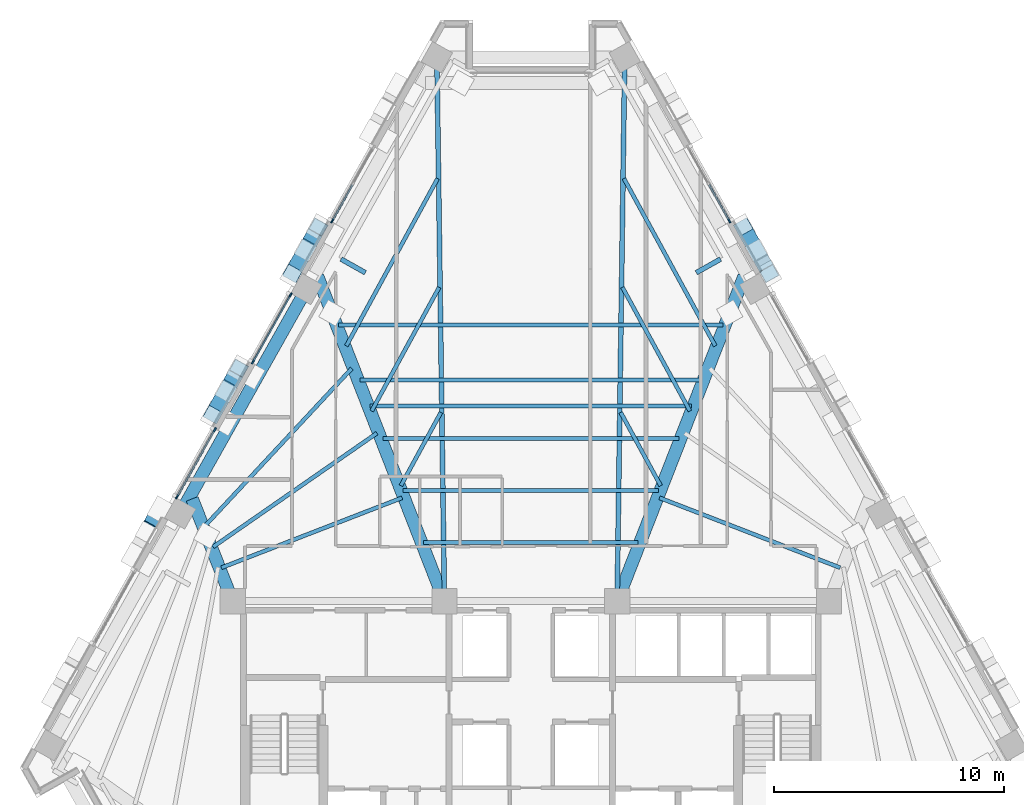
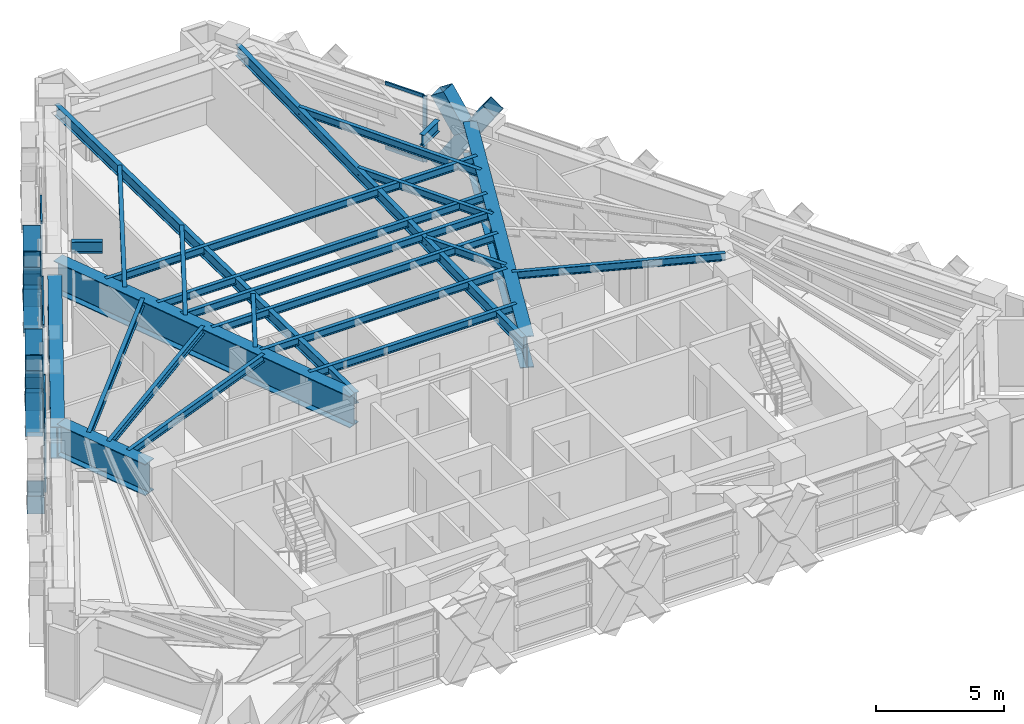
# One storey, part 3 of 13: 24 beams, 23 members, 4 elements without a shape of their own.
"""IFC4 building model written with IfcOpenShell, lengths in metres."""

import ifcopenshell
import ifcopenshell.guid

model = None  # the IFC model being written
_history = None  # IfcOwnerHistory: only IFC2X3 demands one
_inside = {}  # id of a spatial element -> (the spatial element, [elements in it])
_under = {}  # id of a project, library or spatial element -> (it, [spatial elements below it])
_declared = {}  # id of a project -> (the project, [libraries it declares])
_typed = {}  # id of a type object -> (the type object, [elements of that type])
_made_of = {}  # id of a material, layer set ... -> (it, [elements and type objects made of it])


def new_model(schema):
    """Start an empty IFC model of exactly this schema.

    Asked for "IFC4X3", IfcOpenShell would pick the latest addendum, in which some entities
    have other attributes; the version numbers below select the first issue.
    IFC2X3 requires an IfcOwnerHistory on every rooted entity: one is made here for all.
    """
    global model, _history
    if schema == "IFC4X3":
        model = ifcopenshell.file(schema_version=(4, 3, 0, 0))
    else:
        model = ifcopenshell.file(schema=schema)
    _inside.clear()
    _under.clear()
    _declared.clear()
    _typed.clear()
    _made_of.clear()
    _history = None
    if model.schema == "IFC2X3":
        org = make("IfcOrganization", Name="unknown")
        user = make(
            "IfcPersonAndOrganization",
            ThePerson=make("IfcPerson", FamilyName="unknown"),
            TheOrganization=org,
        )
        app = make(
            "IfcApplication",
            ApplicationDeveloper=org,
            Version="unknown",
            ApplicationFullName="unknown",
            ApplicationIdentifier="unknown",
        )
        _history = make(
            "IfcOwnerHistory",
            OwningUser=user,
            OwningApplication=app,
            ChangeAction="ADDED",
            CreationDate=0,
        )
    return model


def make(cls, **values):
    """One entity of the class cls with the attributes given. An attribute that is None is left unset."""
    return model.create_entity(
        cls, **{name: value for name, value in values.items() if value is not None}
    )


def rooted(cls, **values):
    """An entity with a GlobalId (a new one), such as an element, a storey or a relation."""
    return make(cls, GlobalId=ifcopenshell.guid.new(), OwnerHistory=_history, **values)


def si_unit(unit_type, name, prefix=None):
    """IfcSIUnit, for example si_unit("LENGTHUNIT", "METRE", prefix="MILLI")."""
    return make("IfcSIUnit", UnitType=unit_type, Prefix=prefix, Name=name)


def assignment(units):
    """IfcUnitAssignment: the units of a project."""
    return None if units is None else make("IfcUnitAssignment", Units=units)


def point(xyz):
    """IfcCartesianPoint."""
    return None if xyz is None else make("IfcCartesianPoint", Coordinates=xyz)


def direction(xyz):
    """IfcDirection."""
    return None if xyz is None else make("IfcDirection", DirectionRatios=xyz)


def frame(location, z_axis=None, x_axis=None):
    """IfcAxis2Placement3D, a coordinate frame: its origin and axes. An axis left out is left unset."""
    return make(
        "IfcAxis2Placement3D",
        Location=point(location),
        Axis=direction(z_axis),
        RefDirection=direction(x_axis),
    )


def frame_2d(location, x_axis=None):
    """IfcAxis2Placement2D, a coordinate frame in the plane: its origin and x axis."""
    return make(
        "IfcAxis2Placement2D", Location=point(location), RefDirection=direction(x_axis)
    )


def origin():
    """The frame at (0, 0, 0) with its axes left unset."""
    return frame((0.0, 0.0, 0.0))


def origin_2d():
    """The frame at (0, 0) in the plane with its x axis left unset."""
    return frame_2d((0.0, 0.0))


def place(relative_to, where):
    """IfcLocalPlacement: puts the frame where relative to a parent placement (None: the world)."""
    return make(
        "IfcLocalPlacement", PlacementRelTo=relative_to, RelativePlacement=where
    )


def context(
    kind, dimensions, precision=None, world=None, true_north=None, identifier=None
):
    """IfcGeometricRepresentationContext, for example the 3D "Model" context."""
    return make(
        "IfcGeometricRepresentationContext",
        ContextIdentifier=identifier,
        ContextType=kind,
        CoordinateSpaceDimension=dimensions,
        Precision=precision,
        WorldCoordinateSystem=world,
        TrueNorth=true_north,
    )


def subcontext(parent, identifier, kind, view, scale=None):
    """IfcGeometricRepresentationSubContext, for example "Body" below "Model"."""
    return make(
        "IfcGeometricRepresentationSubContext",
        ContextIdentifier=identifier,
        ContextType=kind,
        ParentContext=parent,
        TargetScale=scale,
        TargetView=view,
    )


def project(units=None, contexts=None):
    """IfcProject with its units and contexts."""
    return rooted(
        "IfcProject",
        Name="project",
        RepresentationContexts=contexts,
        UnitsInContext=assignment(units),
    )


def spatial(cls, under=None, at=None, **own):
    """A site, building, storey or space (cls), placed at a placement, below another one or the project."""
    s = rooted(cls, ObjectPlacement=at, **own)
    if under is not None:
        _under.setdefault(under.id(), (under, []))[1].append(s)
    return s


def profile(cls, at=None, kind="AREA", **sizes):
    """A parametric profile (cls). Its sizes go by their IFC names, for example OverallWidth=200.0."""
    return make(cls, ProfileType=kind, Position=at, **sizes)


def rectangle(**sizes):
    """IfcRectangleProfileDef."""
    return profile("IfcRectangleProfileDef", **sizes)


def hollow_rectangle(**sizes):
    """IfcRectangleHollowProfileDef."""
    return profile("IfcRectangleHollowProfileDef", **sizes)


def i_section(**sizes):
    """IfcIShapeProfileDef."""
    return profile("IfcIShapeProfileDef", **sizes)


def extrude(swept, where, along, depth):
    """IfcExtrudedAreaSolid: the profile swept, set in the frame where, extruded along a direction by depth."""
    return make(
        "IfcExtrudedAreaSolid",
        SweptArea=swept,
        Position=where,
        ExtrudedDirection=direction(along),
        Depth=depth,
    )


def shape(context_of_items, identifier, shape_type, items):
    """IfcShapeRepresentation: the items that make up one representation, for example the "Body"."""
    return make(
        "IfcShapeRepresentation",
        ContextOfItems=context_of_items,
        RepresentationIdentifier=identifier,
        RepresentationType=shape_type,
        Items=items,
    )


def material(Name=None, Category=None):
    """IfcMaterial."""
    return make("IfcMaterial", Name=Name, Category=Category)


def material_profile(
    of_material, cross_section, Name=None, Category=None, Priority=None
):
    """IfcMaterialProfile: a cross section and its material."""
    return make(
        "IfcMaterialProfile",
        Name=Name,
        Material=of_material,
        Profile=cross_section,
        Priority=Priority,
        Category=Category,
    )


def profile_set(profiles, Name=None, composite=None):
    """IfcMaterialProfileSet."""
    return make(
        "IfcMaterialProfileSet",
        Name=Name,
        MaterialProfiles=profiles,
        CompositeProfile=composite,
    )


def made_of(thing, what):
    """Note that an element or type object is made of a material, layer set ...; save() writes the relation."""
    if what is not None:
        _made_of.setdefault(what.id(), (what, []))[1].append(thing)
    return thing


def type_object(cls, material=None, **own):
    """A type object (cls), such as IfcWallType, which elements share."""
    return made_of(rooted(cls, **own), material)


def element(
    cls,
    number,
    at=None,
    inside=None,
    cuts=None,
    type_object=None,
    material=None,
    context=None,
    identifier="Body",
    shape_type=None,
    held_by="IfcProductDefinitionShape",
    body=None,
    shapes=None,
    **own,
):
    """One element of the class cls, such as IfcWall. Its Tag is "e" and its number.

    at: its placement. inside: the storey or other place that contains it. cuts: it is an
    opening in that element (IfcRelVoidsElement). A single representation is given by context,
    identifier, shape_type and body (its items); several are given by shapes. held_by: the class
    of the entity that holds the representations. save() writes the other relations.
    """
    e = rooted(cls, Tag="e%d" % number, ObjectPlacement=at, **own)
    if body is not None:
        shapes = [shape(context, identifier, shape_type, body)]
    if shapes is not None:
        e.Representation = make(held_by, Representations=shapes)
    if inside is not None:
        _inside.setdefault(inside.id(), (inside, []))[1].append(e)
    if cuts is not None:
        rooted(
            "IfcRelVoidsElement", RelatingBuildingElement=cuts, RelatedOpeningElement=e
        )
    if type_object is not None:
        _typed.setdefault(type_object.id(), (type_object, []))[1].append(e)
    return made_of(e, material)


def aggregate(whole, parts):
    """IfcRelAggregates: a whole, such as a stair, and the parts it consists of."""
    return rooted("IfcRelAggregates", RelatingObject=whole, RelatedObjects=parts)


def save(model, path):
    """Write the relations noted so far, then the file.

    IfcRelAggregates (storeys below a building ...), IfcRelContainedInSpatialStructure (elements
    in a storey), IfcRelDefinesByType, IfcRelAssociatesMaterial and IfcRelDeclares: one each for
    every whole, place, type object, material and project.
    """
    for whole, parts in _under.values():
        aggregate(whole, parts)
    for where, things in _inside.values():
        rooted(
            "IfcRelContainedInSpatialStructure",
            RelatedElements=things,
            RelatingStructure=where,
        )
    for kind, things in _typed.values():
        rooted("IfcRelDefinesByType", RelatedObjects=things, RelatingType=kind)
    for what, things in _made_of.values():
        rooted("IfcRelAssociatesMaterial", RelatedObjects=things, RelatingMaterial=what)
    for by, libraries in _declared.values():
        rooted("IfcRelDeclares", RelatingContext=by, RelatedDefinitions=libraries)
    model.write(path)


model = new_model("IFC4")

# Units and contexts
model_context = context("Model", 3, precision=1e-05, world=origin(), true_north=direction((0.0, 1.0)))
body_context = subcontext(model_context, "Body", "Model", "MODEL_VIEW")
ifc_project = project(units=[si_unit("LENGTHUNIT", "METRE"), si_unit("AREAUNIT", "SQUARE_METRE"), si_unit("VOLUMEUNIT", "CUBIC_METRE"), si_unit("PLANEANGLEUNIT", "RADIAN"), si_unit("MASSUNIT", "GRAM", prefix="KILO")], contexts=[model_context])

# Site, building, storey
site_placement = place(None, origin())
site = spatial("IfcSite", under=ifc_project, at=site_placement, CompositionType="ELEMENT")
building_placement = place(site_placement, origin())
building = spatial("IfcBuilding", under=site, at=building_placement, Name="Quenlor Broadcast Tower", CompositionType="ELEMENT")
storey_placement = place(building_placement, frame((0.0, 0.0, 175.5)))
storey = spatial("IfcBuildingStorey", under=building, at=storey_placement, Name="L48", CompositionType="ELEMENT", Elevation=175.5)

# Curtain wall, member
ifc_material_1 = material(Name="Architectural Terracotta and Low-E Glazing", Category="masonry")
curtain_wall_type = type_object("IfcCurtainWallType", Name="Unitised Terracotta Curtain Wall System Z3", PredefinedType="NOTDEFINED", material=ifc_material_1)
curtain_wall_1_placement = place(storey_placement, origin())
curtain_wall_1 = element("IfcCurtainWall", 1, at=curtain_wall_1_placement, inside=storey, type_object=curtain_wall_type, Name="L48 Curtain Wall CW3 (L48-NEA-G1)", PredefinedType="NOTDEFINED")
ifc_material_2 = material(Name="Aluminium 6063-T6", Category="aluminium")
ifc_material_profile_1 = material_profile(ifc_material_2, rectangle(XDim=0.070068359375, YDim=0.18994140625, at=origin_2d()))
ifc_profile_set_1 = profile_set([ifc_material_profile_1], Name="Aluminium 6063-T6 MULL70x190")
member_type_1 = type_object("IfcMemberType", Name="CW3 Aluminium Mullion MULL_CW3", PredefinedType="MULLION", material=ifc_profile_set_1)
member_1_placement = place(storey_placement, frame((8.62353515625, 11.71240234375, 0.0), z_axis=(0.0, 0.0, 1.0), x_axis=(0.871570530637, 0.490270139949, 0.0)))
member_1 = element("IfcMember", 2, at=member_1_placement, type_object=member_type_1, Name="CW3 mullion 3", PredefinedType="MULLION", context=body_context, shape_type="SweptSolid", body=[
    extrude(rectangle(XDim=0.070068359375, YDim=0.18994140625, at=origin_2d()), origin(), (0.0, 0.0, 1.0), 3.139892578125),
])

curtain_wall_2_placement = place(storey_placement, origin())
curtain_wall_2 = element("IfcCurtainWall", 3, at=curtain_wall_2_placement, inside=storey, type_object=curtain_wall_type, Name="L48 Curtain Wall CW3 (L48-NWC-G1)", PredefinedType="NOTDEFINED")
member_2_placement = place(storey_placement, frame((-8.62353515625, 11.71240234375, 0.0), z_axis=(0.0, 0.0, 1.0), x_axis=(-0.871570530637, 0.490270139949, 0.0)))
member_2 = element("IfcMember", 4, at=member_2_placement, type_object=member_type_1, Name="CW3 mullion 1", PredefinedType="MULLION", context=body_context, shape_type="SweptSolid", body=[
    extrude(rectangle(XDim=0.070068359375, YDim=0.18994140625, at=origin_2d()), origin(), (0.0, 0.0, 1.0), 3.139892578125),
])

# Curtain wall, members
curtain_wall_3_placement = place(storey_placement, origin())
curtain_wall_3 = element("IfcCurtainWall", 5, at=curtain_wall_3_placement, inside=storey, type_object=curtain_wall_type, Name="L48 Curtain Wall CW3 (L48-NW-G1)", PredefinedType="NOTDEFINED")
member_3_placement = place(storey_placement, frame((-15.365966796875, -0.274169921875, 0.0), z_axis=(0.0, 0.0, 1.0), x_axis=(-0.871571633105, 0.490268180048, 0.0)))
member_3 = element("IfcMember", 6, at=member_3_placement, type_object=member_type_1, Name="CW3 mullion 1", PredefinedType="MULLION", context=body_context, shape_type="SweptSolid", body=[
    extrude(rectangle(XDim=0.070068359375, YDim=0.18994140625, at=origin_2d()), origin(), (0.0, 0.0, 1.0), 3.139892578125),
])
member_4_placement = place(storey_placement, frame((-13.723388671875, 2.64599609375, 0.0), z_axis=(0.0, 0.0, 1.0), x_axis=(-0.871571633105, 0.490268180048, 0.0)))
member_4 = element("IfcMember", 7, at=member_4_placement, type_object=member_type_1, Name="CW3 mullion 2", PredefinedType="MULLION", context=body_context, shape_type="SweptSolid", body=[
    extrude(rectangle(XDim=0.070068359375, YDim=0.18994140625, at=origin_2d()), origin(), (0.0, 0.0, 1.0), 3.139892578125),
])

curtain_wall_4_placement = place(storey_placement, origin())
curtain_wall_4 = element("IfcCurtainWall", 8, at=curtain_wall_4_placement, inside=storey, type_object=curtain_wall_type, Name="L48 Curtain Wall CW3 (L48-NW-G2)", PredefinedType="NOTDEFINED")
member_5_placement = place(storey_placement, frame((-12.071533203125, 5.582275390625, 0.0), z_axis=(0.0, 0.0, 1.0), x_axis=(-0.871578660222, 0.490255687418, 0.0)))
member_5 = element("IfcMember", 9, at=member_5_placement, type_object=member_type_1, Name="CW3 mullion 1", PredefinedType="MULLION", context=body_context, shape_type="SweptSolid", body=[
    extrude(rectangle(XDim=0.070068359375, YDim=0.18994140625, at=origin_2d()), origin(), (0.0, 0.0, 1.0), 3.139892578125),
])
member_6_placement = place(storey_placement, frame((-10.428955078125, 8.50244140625, 0.0), z_axis=(0.0, 0.0, 1.0), x_axis=(-0.871578660222, 0.490255687418, 0.0)))
member_6 = element("IfcMember", 10, at=member_6_placement, type_object=member_type_1, Name="CW3 mullion 2", PredefinedType="MULLION", context=body_context, shape_type="SweptSolid", body=[
    extrude(rectangle(XDim=0.070068359375, YDim=0.18994140625, at=origin_2d()), origin(), (0.0, 0.0, 1.0), 3.139892578125),
])

# Member
ifc_material_3 = material(Name="Aluminium 6063-T6", Category="aluminium")
ifc_material_profile_2 = material_profile(ifc_material_3, rectangle(XDim=0.070068359375, YDim=0.155029296875, at=origin_2d()))
ifc_profile_set_2 = profile_set([ifc_material_profile_2], Name="Aluminium 6063-T6 TRAN70x155")
member_type_2 = type_object("IfcMemberType", Name="CW3 Aluminium Transom TRAN_CW3", PredefinedType="USERDEFINED", material=ifc_profile_set_2)
member_7_placement = place(storey_placement, frame((7.742431640625, 13.278564453125, 0.034912109375), z_axis=(0.490353334151, -0.871523727553, 0.0), x_axis=(0.871523727553, 0.490353334151, 0.0)))
member_7 = element("IfcMember", 11, at=member_7_placement, type_object=member_type_2, Name="CW3 transom 2.1", ObjectType="TRANSOM", PredefinedType="USERDEFINED", context=body_context, shape_type="SweptSolid", body=[
    extrude(rectangle(XDim=0.070068359375, YDim=0.155029296875, at=origin_2d()), origin(), (0.0, 0.0, 1.0), 1.761962890625),
])

member_8_placement = place(storey_placement, frame((7.742431640625, 13.278564453125, 3.10498046875), z_axis=(0.490353334151, -0.871523727553, 0.0), x_axis=(0.871523727553, 0.490353334151, 0.0)))
member_8 = element("IfcMember", 12, at=member_8_placement, type_object=member_type_2, Name="CW3 transom 2.2", ObjectType="TRANSOM", PredefinedType="USERDEFINED", context=body_context, shape_type="SweptSolid", body=[
    extrude(rectangle(XDim=0.070068359375, YDim=0.155029296875, at=origin_2d()), origin(), (0.0, 0.0, 1.0), 1.761962890625),
])

aggregate(curtain_wall_1, [member_1, member_7, member_8])

member_9_placement = place(storey_placement, frame((-8.6064453125, 11.742919921875, 0.034912109375), z_axis=(0.490353334151, 0.871523727553, 0.0), x_axis=(-0.871523727553, 0.490353334151, 0.0)))
member_9 = element("IfcMember", 13, at=member_9_placement, type_object=member_type_2, Name="CW3 transom 1.1", ObjectType="TRANSOM", PredefinedType="USERDEFINED", context=body_context, shape_type="SweptSolid", body=[
    extrude(rectangle(XDim=0.070068359375, YDim=0.155029296875, at=origin_2d()), origin(), (0.0, 0.0, 1.0), 1.761962890625),
])

member_10_placement = place(storey_placement, frame((-8.6064453125, 11.742919921875, 3.10498046875), z_axis=(0.490353334151, 0.871523727553, 0.0), x_axis=(-0.871523727553, 0.490353334151, 0.0)))
member_10 = element("IfcMember", 14, at=member_10_placement, type_object=member_type_2, Name="CW3 transom 1.2", ObjectType="TRANSOM", PredefinedType="USERDEFINED", context=body_context, shape_type="SweptSolid", body=[
    extrude(rectangle(XDim=0.070068359375, YDim=0.155029296875, at=origin_2d()), origin(), (0.0, 0.0, 1.0), 1.761962890625),
])

aggregate(curtain_wall_2, [member_2, member_9, member_10])

member_11_placement = place(storey_placement, frame((-15.348876953125, -0.24365234375, 0.034912109375), z_axis=(0.490293039863, 0.871557648731, 0.0), x_axis=(-0.871557648731, 0.490293039863, 0.0)))
member_11 = element("IfcMember", 15, at=member_11_placement, type_object=member_type_2, Name="CW3 transom 1.1", ObjectType="TRANSOM", PredefinedType="USERDEFINED", context=body_context, shape_type="SweptSolid", body=[
    extrude(rectangle(XDim=0.070068359375, YDim=0.155029296875, at=origin_2d()), origin(), (0.0, 0.0, 1.0), 3.280517578125),
])

member_12_placement = place(storey_placement, frame((-15.348876953125, -0.24365234375, 3.10498046875), z_axis=(0.490293039863, 0.871557648731, 0.0), x_axis=(-0.871557648731, 0.490293039863, 0.0)))
member_12 = element("IfcMember", 16, at=member_12_placement, type_object=member_type_2, Name="CW3 transom 1.2", ObjectType="TRANSOM", PredefinedType="USERDEFINED", context=body_context, shape_type="SweptSolid", body=[
    extrude(rectangle(XDim=0.070068359375, YDim=0.155029296875, at=origin_2d()), origin(), (0.0, 0.0, 1.0), 3.280517578125),
])

aggregate(curtain_wall_3, [member_3, member_4, member_11, member_12])

member_13_placement = place(storey_placement, frame((-12.054443359375, 5.61279296875, 0.034912109375), z_axis=(0.490236504766, 0.871589450025, 0.0), x_axis=(-0.871589450025, 0.490236504766, 0.0)))
member_13 = element("IfcMember", 17, at=member_13_placement, type_object=member_type_2, Name="CW3 transom 1.1", ObjectType="TRANSOM", PredefinedType="USERDEFINED", context=body_context, shape_type="SweptSolid", body=[
    extrude(rectangle(XDim=0.070068359375, YDim=0.155029296875, at=origin_2d()), origin(), (0.0, 0.0, 1.0), 3.2802734375),
])

member_14_placement = place(storey_placement, frame((-12.054443359375, 5.61279296875, 3.10498046875), z_axis=(0.490236504766, 0.871589450025, 0.0), x_axis=(-0.871589450025, 0.490236504766, 0.0)))
member_14 = element("IfcMember", 18, at=member_14_placement, type_object=member_type_2, Name="CW3 transom 1.2", ObjectType="TRANSOM", PredefinedType="USERDEFINED", context=body_context, shape_type="SweptSolid", body=[
    extrude(rectangle(XDim=0.070068359375, YDim=0.155029296875, at=origin_2d()), origin(), (0.0, 0.0, 1.0), 3.2802734375),
])

aggregate(curtain_wall_4, [member_5, member_6, member_13, member_14])

# Members
ifc_material_4 = material(Name="Steel S355", Category="steel")
ifc_material_profile_3 = material_profile(ifc_material_4, hollow_rectangle(XDim=0.679931640625, YDim=0.679931640625, WallThickness=0.02490234375, at=origin_2d()))
ifc_profile_set_3 = profile_set([ifc_material_profile_3], Name="Steel S355 RHS680x680x25")
member_type_3 = type_object("IfcMemberType", Name="Perimeter Diagonal Lattice Brace Z3-Z4 Steel S355 RHS680x25", PredefinedType="BRACE", material=ifc_profile_set_3)
member_15_placement = place(storey_placement, frame((9.225830078125, 11.447265625, -0.1201171875), z_axis=(0.27060310517, -0.481001091283, 0.833913610428), x_axis=(0.871544572467, 0.490316283845, 0.0)))
element("IfcMember", 19, at=member_15_placement, inside=storey, type_object=member_type_3, Name="L48 Perimeter Diamond Lattice NE-C2XA", PredefinedType="BRACE", context=body_context, shape_type="SweptSolid", body=[
    extrude(hollow_rectangle(XDim=0.679931640625, YDim=0.679931640625, WallThickness=0.02490234375, at=origin_2d()), origin(), (0.0, 0.0, 1.0), 4.197021484375),
])
for number, where, z_axis, x_axis, name in (
    (20, (9.72607421875, 10.55810546875, 1.83837890625), (-0.270616433058, 0.481007832697, 0.833905396938), (-0.871537189362, -0.490329407194, 0.0), "L48 Perimeter Diamond Lattice NE-C2XB2"),
    (21, (-16.1220703125, -0.812744140625, -0.1201171875), (-0.270616433058, -0.481007832697, 0.833905396938), (0.871537189362, -0.490329407194, 0.0), "L48 Perimeter Diamond Lattice NW-C2XB1"),
):
    element("IfcMember", number, at=place(storey_placement, frame(where, z_axis=z_axis, x_axis=x_axis)), inside=storey, type_object=member_type_3, Name=name, PredefinedType="BRACE", context=body_context, shape_type="SweptSolid", body=[
        extrude(hollow_rectangle(XDim=0.679931640625, YDim=0.679931640625, WallThickness=0.02490234375, at=origin_2d()), origin(), (0.0, 0.0, 1.0), 1.8486328125),
    ])
member_16_placement = place(storey_placement, frame((-13.8095703125, 3.298583984375, -0.1201171875), z_axis=(0.270556764115, 0.480963948764, 0.833950068878), x_axis=(-0.871564276035, 0.49028125881, 0.0)))
element("IfcMember", 22, at=member_16_placement, inside=storey, type_object=member_type_3, Name="L48 Perimeter Diamond Lattice NW-C3XA", PredefinedType="BRACE", context=body_context, shape_type="SweptSolid", body=[
    extrude(hollow_rectangle(XDim=0.679931640625, YDim=0.679931640625, WallThickness=0.02490234375, at=origin_2d()), origin(), (0.0, 0.0, 1.0), 4.19677734375),
])
member_17_placement = place(storey_placement, frame((-12.674072265625, 5.317138671875, -0.1201171875), z_axis=(-0.270616433058, -0.481007832697, 0.833905396938), x_axis=(0.871537189362, -0.490329407194, 0.0)))
element("IfcMember", 23, at=member_17_placement, inside=storey, type_object=member_type_3, Name="L48 Perimeter Diamond Lattice NW-C3XB1", PredefinedType="BRACE", context=body_context, shape_type="SweptSolid", body=[
    extrude(hollow_rectangle(XDim=0.679931640625, YDim=0.679931640625, WallThickness=0.02490234375, at=origin_2d()), origin(), (0.0, 0.0, 1.0), 1.8486328125),
])
member_18_placement = place(storey_placement, frame((-13.309326171875, 4.1875, 1.83837890625), z_axis=(-0.270633624024, -0.480906307989, 0.833958370954), x_axis=(0.871479637717, -0.49043168846, 0.0)))
element("IfcMember", 24, at=member_18_placement, inside=storey, type_object=member_type_3, Name="L48 Perimeter Diamond Lattice NW-C3XB2", PredefinedType="BRACE", context=body_context, shape_type="SweptSolid", body=[
    extrude(hollow_rectangle(XDim=0.679931640625, YDim=0.679931640625, WallThickness=0.02490234375, at=origin_2d()), origin(), (0.0, 0.0, 1.0), 1.848388671875),
])
member_19_placement = place(storey_placement, frame((-10.361572265625, 9.428466796875, -0.1201171875), z_axis=(0.27060310517, 0.481001091283, 0.833913610428), x_axis=(-0.871544572467, 0.490316283845, 0.0)))
element("IfcMember", 25, at=member_19_placement, inside=storey, type_object=member_type_3, Name="L48 Perimeter Diamond Lattice NW-C4XA", PredefinedType="BRACE", context=body_context, shape_type="SweptSolid", body=[
    extrude(hollow_rectangle(XDim=0.679931640625, YDim=0.679931640625, WallThickness=0.02490234375, at=origin_2d()), origin(), (0.0, 0.0, 1.0), 4.197021484375),
])
member_20_placement = place(storey_placement, frame((-9.225830078125, 11.447265625, -0.1201171875), z_axis=(-0.270616433058, -0.481007832697, 0.833905396938), x_axis=(0.871537189362, -0.490329407194, 0.0)))
element("IfcMember", 26, at=member_20_placement, inside=storey, type_object=member_type_3, Name="L48 Perimeter Diamond Lattice NW-C4XB1", PredefinedType="BRACE", context=body_context, shape_type="SweptSolid", body=[
    extrude(hollow_rectangle(XDim=0.679931640625, YDim=0.679931640625, WallThickness=0.02490234375, at=origin_2d()), origin(), (0.0, 0.0, 1.0), 1.8486328125),
])
member_21_placement = place(storey_placement, frame((-9.861328125, 10.3173828125, 1.83837890625), z_axis=(-0.270633624024, -0.480906307989, 0.833958370954), x_axis=(0.871479637717, -0.49043168846, 0.0)))
element("IfcMember", 27, at=member_21_placement, inside=storey, type_object=member_type_3, Name="L48 Perimeter Diamond Lattice NW-C4XB2", PredefinedType="BRACE", context=body_context, shape_type="SweptSolid", body=[
    extrude(hollow_rectangle(XDim=0.679931640625, YDim=0.679931640625, WallThickness=0.02490234375, at=origin_2d()), origin(), (0.0, 0.0, 1.0), 1.848388671875),
])

# Beams
ifc_material_5 = material(Name="Steel S355", Category="steel")
ifc_material_profile_4 = material_profile(ifc_material_5, i_section(OverallWidth=0.208984375, OverallDepth=0.532958984375, WebThickness=0.01025390625, FlangeThickness=0.015625, FilletRadius=0.013916015625, at=origin_2d()))
ifc_profile_set_4 = profile_set([ifc_material_profile_4], Name="Steel S355 530UB92.4")
beam_type_1 = type_object("IfcBeamType", Name="Perimeter Spandrel Beam Z1 Steel S355 530UB92.4", PredefinedType="SPANDREL", material=ifc_profile_set_4)
for number, where, z_axis, x_axis, name in (
    (28, (7.185791015625, 9.462890625, 2.87353515625), (0.871661741425, 0.490107956001, 0.0), (-0.490107956001, 0.871661741425, 0.0), "L48 Lattice Sill Radial Tie NEA2"),
    (29, (-7.185791015625, 9.462890625, 2.87353515625), (-0.871661741425, 0.490107956001, 0.0), (-0.490107956001, -0.871661741425, 0.0), "L48 Lattice Sill Radial Tie NWB1"),
):
    element("IfcBeam", number, at=place(storey_placement, frame(where, z_axis=z_axis, x_axis=x_axis)), inside=storey, type_object=beam_type_1, Name=name, PredefinedType="SPANDREL", context=body_context, shape_type="SweptSolid", body=[
        extrude(i_section(OverallWidth=0.208984375, OverallDepth=0.532958984375, WebThickness=0.01025390625, FlangeThickness=0.015625, FilletRadius=0.013916015625, at=origin_2d()), origin(), (0.0, 0.0, 1.0), 1.2099609375),
    ])
ifc_material_6 = material(Name="Steel S355", Category="steel")
ifc_material_profile_5 = material_profile(ifc_material_6, i_section(OverallWidth=0.172119140625, OverallDepth=0.358642578125, WebThickness=0.008056640625, FlangeThickness=0.012939453125, FilletRadius=0.011474609375, at=origin_2d()))
ifc_profile_set_5 = profile_set([ifc_material_profile_5], Name="Steel S355 360UB56.7")
beam_type_2 = type_object("IfcBeamType", Name="Tower Composite Joist Z2-Z3 Steel S355 360UB56.7", PredefinedType="JOIST", material=ifc_profile_set_5)
beam_1_placement = place(storey_placement, frame((-4.662841796875, -2.2587890625, 2.960693359375), z_axis=(1.0, 0.0, 0.0), x_axis=(0.0, 1.0, 0.0)))
element("IfcBeam", 30, at=beam_1_placement, inside=storey, type_object=beam_type_2, Name="L48 Secondary Composite Joist 1", PredefinedType="JOIST", context=body_context, shape_type="SweptSolid", body=[
    extrude(i_section(OverallWidth=0.172119140625, OverallDepth=0.358642578125, WebThickness=0.008056640625, FlangeThickness=0.012939453125, FilletRadius=0.011474609375, at=origin_2d()), origin(), (0.0, 0.0, 1.0), 9.32568359375),
])
beam_2_placement = place(storey_placement, frame((-6.9794921875, 3.670654296875, 2.960693359375), z_axis=(1.0, 0.0, 0.0), x_axis=(0.0, 1.0, 0.0)))
element("IfcBeam", 31, at=beam_2_placement, inside=storey, type_object=beam_type_2, Name="L48 Secondary Composite Joist 2", PredefinedType="JOIST", context=body_context, shape_type="SweptSolid", body=[
    extrude(i_section(OverallWidth=0.172119140625, OverallDepth=0.358642578125, WebThickness=0.008056640625, FlangeThickness=0.012939453125, FilletRadius=0.011474609375, at=origin_2d()), origin(), (0.0, 0.0, 1.0), 13.958984375),
])
beam_3_placement = place(storey_placement, frame((-5.54541015625, 0.0, 2.960693359375), z_axis=(1.0, 0.0, 0.0), x_axis=(0.0, 1.0, 0.0)))
element("IfcBeam", 32, at=beam_3_placement, inside=storey, type_object=beam_type_2, Name="L48 Secondary Composite Joist 3", PredefinedType="JOIST", context=body_context, shape_type="SweptSolid", body=[
    extrude(i_section(OverallWidth=0.172119140625, OverallDepth=0.358642578125, WebThickness=0.008056640625, FlangeThickness=0.012939453125, FilletRadius=0.011474609375, at=origin_2d()), origin(), (0.0, 0.0, 1.0), 11.0908203125),
])
beam_4_placement = place(storey_placement, frame((-6.427978515625, 2.2587890625, 2.960693359375), z_axis=(1.0, 0.0, 0.0), x_axis=(0.0, 1.0, 0.0)))
element("IfcBeam", 33, at=beam_4_placement, inside=storey, type_object=beam_type_2, Name="L48 Secondary Composite Joist 4", PredefinedType="JOIST", context=body_context, shape_type="SweptSolid", body=[
    extrude(i_section(OverallWidth=0.172119140625, OverallDepth=0.358642578125, WebThickness=0.008056640625, FlangeThickness=0.012939453125, FilletRadius=0.011474609375, at=origin_2d()), origin(), (0.0, 0.0, 1.0), 12.85595703125),
])
beam_5_placement = place(storey_placement, frame((-7.420654296875, 4.800048828125, 2.960693359375), z_axis=(1.0, 0.0, 0.0), x_axis=(0.0, 1.0, 0.0)))
element("IfcBeam", 34, at=beam_5_placement, inside=storey, type_object=beam_type_2, Name="L48 Secondary Composite Joist 5", PredefinedType="JOIST", context=body_context, shape_type="SweptSolid", body=[
    extrude(i_section(OverallWidth=0.172119140625, OverallDepth=0.358642578125, WebThickness=0.008056640625, FlangeThickness=0.012939453125, FilletRadius=0.011474609375, at=origin_2d()), origin(), (0.0, 0.0, 1.0), 14.84130859375),
])
beam_6_placement = place(storey_placement, frame((-8.3583984375, 7.199951171875, 2.960693359375), z_axis=(1.0, 0.0, 0.0), x_axis=(0.0, 1.0, 0.0)))
element("IfcBeam", 35, at=beam_6_placement, inside=storey, type_object=beam_type_2, Name="L48 Secondary Composite Joist 6", PredefinedType="JOIST", context=body_context, shape_type="SweptSolid", body=[
    extrude(i_section(OverallWidth=0.172119140625, OverallDepth=0.358642578125, WebThickness=0.008056640625, FlangeThickness=0.012939453125, FilletRadius=0.011474609375, at=origin_2d()), origin(), (0.0, 0.0, 1.0), 16.716796875),
])
beam_7_placement = place(storey_placement, frame((-13.43798828125, -3.35009765625, 2.960693359375), z_axis=(0.93253879785, 0.361069786196, 0.0), x_axis=(-0.361069786196, 0.93253879785, 0.0)))
element("IfcBeam", 36, at=beam_7_placement, inside=storey, type_object=beam_type_2, Name="L48 Secondary Composite Joist 7", PredefinedType="JOIST", context=body_context, shape_type="SweptSolid", body=[
    extrude(i_section(OverallWidth=0.172119140625, OverallDepth=0.358642578125, WebThickness=0.008056640625, FlangeThickness=0.012939453125, FilletRadius=0.011474609375, at=origin_2d()), origin(), (0.0, 0.0, 1.0), 8.416259765625),
])
beam_8_placement = place(storey_placement, frame((-13.798583984375, -2.445068359375, 2.960693359375), z_axis=(0.821376568114, 0.570386301864, 0.0), x_axis=(-0.570386301864, 0.821376568114, 0.0)))
element("IfcBeam", 37, at=beam_8_placement, inside=storey, type_object=beam_type_2, Name="L48 Secondary Composite Joist 8", PredefinedType="JOIST", context=body_context, shape_type="SweptSolid", body=[
    extrude(i_section(OverallWidth=0.172119140625, OverallDepth=0.358642578125, WebThickness=0.008056640625, FlangeThickness=0.012939453125, FilletRadius=0.011474609375, at=origin_2d()), origin(), (0.0, 0.0, 1.0), 8.661865234375),
])
beam_9_placement = place(storey_placement, frame((-14.161376953125, -1.5439453125, 2.960693359375), z_axis=(0.681865761727, 0.731477329098, 0.0), x_axis=(-0.731477329098, 0.681865761727, 0.0)))
element("IfcBeam", 38, at=beam_9_placement, inside=storey, type_object=beam_type_2, Name="L48 Secondary Composite Joist 9", PredefinedType="JOIST", context=body_context, shape_type="SweptSolid", body=[
    extrude(i_section(OverallWidth=0.172119140625, OverallDepth=0.358642578125, WebThickness=0.008056640625, FlangeThickness=0.012939453125, FilletRadius=0.011474609375, at=origin_2d()), origin(), (0.0, 0.0, 1.0), 9.36474609375),
])
beam_10_placement = place(storey_placement, frame((13.43798828125, -3.35009765625, 2.960693359375), z_axis=(-0.93253879785, 0.361069786196, 0.0), x_axis=(-0.361069786196, -0.93253879785, 0.0)))
element("IfcBeam", 39, at=beam_10_placement, inside=storey, type_object=beam_type_2, Name="L48 Secondary Composite Joist 10", PredefinedType="JOIST", context=body_context, shape_type="SweptSolid", body=[
    extrude(i_section(OverallWidth=0.172119140625, OverallDepth=0.358642578125, WebThickness=0.008056640625, FlangeThickness=0.012939453125, FilletRadius=0.011474609375, at=origin_2d()), origin(), (0.0, 0.0, 1.0), 8.416259765625),
])
beam_11_placement = place(storey_placement, frame((-3.903564453125, 3.3974609375, 2.960693359375), z_axis=(-0.478998223184, -0.87781587032, 0.0), x_axis=(0.87781587032, -0.478998223184, 0.0)))
element("IfcBeam", 40, at=beam_11_placement, inside=storey, type_object=beam_type_2, Name="L48 Secondary Composite Joist 25", PredefinedType="JOIST", context=body_context, shape_type="SweptSolid", body=[
    extrude(i_section(OverallWidth=0.172119140625, OverallDepth=0.358642578125, WebThickness=0.008056640625, FlangeThickness=0.012939453125, FilletRadius=0.011474609375, at=origin_2d()), origin(), (0.0, 0.0, 1.0), 3.62939453125),
])
beam_12_placement = place(storey_placement, frame((-3.979248046875, 8.83056640625, 2.960693359375), z_axis=(-0.479031002454, -0.877797982845, 0.0), x_axis=(0.877797982845, -0.479031002454, 0.0)))
element("IfcBeam", 41, at=beam_12_placement, inside=storey, type_object=beam_type_2, Name="L48 Secondary Composite Joist 26", PredefinedType="JOIST", context=body_context, shape_type="SweptSolid", body=[
    extrude(i_section(OverallWidth=0.172119140625, OverallDepth=0.358642578125, WebThickness=0.008056640625, FlangeThickness=0.012939453125, FilletRadius=0.011474609375, at=origin_2d()), origin(), (0.0, 0.0, 1.0), 6.119873046875),
])
beam_13_placement = place(storey_placement, frame((-4.045166015625, 13.554931640625, 2.960693359375), z_axis=(-0.479009027978, -0.877809974377, 0.0), x_axis=(0.877809974377, -0.479009027978, 0.0)))
element("IfcBeam", 42, at=beam_13_placement, inside=storey, type_object=beam_type_2, Name="L48 Secondary Composite Joist 27", PredefinedType="JOIST", context=body_context, shape_type="SweptSolid", body=[
    extrude(i_section(OverallWidth=0.172119140625, OverallDepth=0.358642578125, WebThickness=0.008056640625, FlangeThickness=0.012939453125, FilletRadius=0.011474609375, at=origin_2d()), origin(), (0.0, 0.0, 1.0), 8.285400390625),
])
beam_14_placement = place(storey_placement, frame((3.903564453125, 3.3974609375, 2.960693359375), z_axis=(0.478998223184, -0.87781587032, 0.0), x_axis=(0.87781587032, 0.478998223184, 0.0)))
element("IfcBeam", 43, at=beam_14_placement, inside=storey, type_object=beam_type_2, Name="L48 Secondary Composite Joist 28", PredefinedType="JOIST", context=body_context, shape_type="SweptSolid", body=[
    extrude(i_section(OverallWidth=0.172119140625, OverallDepth=0.358642578125, WebThickness=0.008056640625, FlangeThickness=0.012939453125, FilletRadius=0.011474609375, at=origin_2d()), origin(), (0.0, 0.0, 1.0), 3.62939453125),
])
beam_15_placement = place(storey_placement, frame((3.979248046875, 8.83056640625, 2.960693359375), z_axis=(0.479031002454, -0.877797982845, 0.0), x_axis=(0.877797982845, 0.479031002454, 0.0)))
element("IfcBeam", 44, at=beam_15_placement, inside=storey, type_object=beam_type_2, Name="L48 Secondary Composite Joist 29", PredefinedType="JOIST", context=body_context, shape_type="SweptSolid", body=[
    extrude(i_section(OverallWidth=0.172119140625, OverallDepth=0.358642578125, WebThickness=0.008056640625, FlangeThickness=0.012939453125, FilletRadius=0.011474609375, at=origin_2d()), origin(), (0.0, 0.0, 1.0), 6.119873046875),
])
beam_16_placement = place(storey_placement, frame((4.045166015625, 13.554931640625, 2.960693359375), z_axis=(0.479009027978, -0.877809974377, 0.0), x_axis=(0.877809974377, 0.479009027978, 0.0)))
element("IfcBeam", 45, at=beam_16_placement, inside=storey, type_object=beam_type_2, Name="L48 Secondary Composite Joist 30", PredefinedType="JOIST", context=body_context, shape_type="SweptSolid", body=[
    extrude(i_section(OverallWidth=0.172119140625, OverallDepth=0.358642578125, WebThickness=0.008056640625, FlangeThickness=0.012939453125, FilletRadius=0.011474609375, at=origin_2d()), origin(), (0.0, 0.0, 1.0), 8.285400390625),
])
ifc_material_7 = material(Name="Steel S355", Category="steel")
ifc_material_profile_6 = material_profile(ifc_material_7, i_section(OverallWidth=0.208984375, OverallDepth=0.532958984375, WebThickness=0.01025390625, FlangeThickness=0.015625, FilletRadius=0.013916015625, at=origin_2d()))
ifc_profile_set_6 = profile_set([ifc_material_profile_6], Name="Steel S355 530UB92.4")
beam_type_3 = type_object("IfcBeamType", Name="Tower Primary Floor Beam Z3 Steel S355 530UB92.4", PredefinedType="BEAM", material=ifc_profile_set_6)
for number, where, z_axis, x_axis, name in (
    (46, (4.073486328125, 18.412109375, 2.87353515625), (-0.013931496433, -0.999902951994, 0.0), (0.999902951994, -0.013931496433, 0.0), "L48 Primary Radial Beam NE4"),
    (47, (-4.073486328125, 18.412109375, 2.87353515625), (0.013931496433, -0.999902951994, 0.0), (0.999902951994, 0.013931496433, 0.0), "L48 Primary Radial Beam NW1"),
):
    element("IfcBeam", number, at=place(storey_placement, frame(where, z_axis=z_axis, x_axis=x_axis)), inside=storey, type_object=beam_type_3, Name=name, PredefinedType="BEAM", context=body_context, shape_type="SweptSolid", body=[
        extrude(i_section(OverallWidth=0.208984375, OverallDepth=0.532958984375, WebThickness=0.01025390625, FlangeThickness=0.015625, FilletRadius=0.013916015625, at=origin_2d()), origin(), (0.0, 0.0, 1.0), 22.834228515625),
    ])
ifc_material_8 = material(Name="Steel S355", Category="steel")
ifc_material_profile_7 = material_profile(ifc_material_8, i_section(OverallWidth=0.550048828125, OverallDepth=1.5, WebThickness=0.02197265625, FlangeThickness=0.034912109375, FilletRadius=0.01806640625, at=origin_2d()))
ifc_profile_set_7 = profile_set([ifc_material_profile_7], Name="Steel S355 1500TG510")
beam_type_4 = type_object("IfcBeamType", Name="Zone Setback Transfer Girder Steel S355 1500", PredefinedType="BEAM", material=ifc_profile_set_7)
beam_17_placement = place(storey_placement, frame((-9.944091796875, 8.39599609375, 2.389892578125), z_axis=(-0.490252288562, -0.871580572041, 0.0), x_axis=(0.871580572041, -0.490252288562, 0.0)))
element("IfcBeam", 48, at=beam_17_placement, inside=storey, type_object=beam_type_4, Name="L48 Spandrel Beam NW2-NW3", PredefinedType="BEAM", context=body_context, shape_type="SweptSolid", body=[
    extrude(i_section(OverallWidth=0.550048828125, OverallDepth=1.5, WebThickness=0.02197265625, FlangeThickness=0.034912109375, FilletRadius=0.01806640625, at=origin_2d()), origin(), (0.0, 0.0, 1.0), 10.359619140625),
])
for number, where, z_axis, x_axis, name in (
    (49, (3.88818359375, -4.446044921875, 2.389892578125), (0.363923990107, 0.931428649669, 0.0), (-0.931428649669, 0.363923990107, 0.0), "L48 Setback Transfer Girder NE3"),
    (50, (-3.88818359375, -4.446044921875, 2.389892578125), (-0.363923990107, 0.931428649669, 0.0), (-0.931428649669, -0.363923990107, 0.0), "L48 Setback Transfer Girder NW2"),
):
    element("IfcBeam", number, at=place(storey_placement, frame(where, z_axis=z_axis, x_axis=x_axis)), inside=storey, type_object=beam_type_4, Name=name, PredefinedType="BEAM", context=body_context, shape_type="SweptSolid", body=[
        extrude(i_section(OverallWidth=0.550048828125, OverallDepth=1.5, WebThickness=0.02197265625, FlangeThickness=0.034912109375, FilletRadius=0.01806640625, at=origin_2d()), origin(), (0.0, 0.0, 1.0), 14.77685546875),
    ])
beam_18_placement = place(storey_placement, frame((-13.08984375, -4.44677734375, 2.389892578125), z_axis=(-0.36810445899, 0.929784441293, 0.0), x_axis=(-0.929784441293, -0.36810445899, 0.0)))
element("IfcBeam", 51, at=beam_18_placement, inside=storey, type_object=beam_type_4, Name="L48 Setback Transfer Girder NW3", PredefinedType="BEAM", context=body_context, shape_type="SweptSolid", body=[
    extrude(i_section(OverallWidth=0.550048828125, OverallDepth=1.5, WebThickness=0.02197265625, FlangeThickness=0.034912109375, FilletRadius=0.01806640625, at=origin_2d()), origin(), (0.0, 0.0, 1.0), 4.396484375),
])

save(model, "model.ifc")
